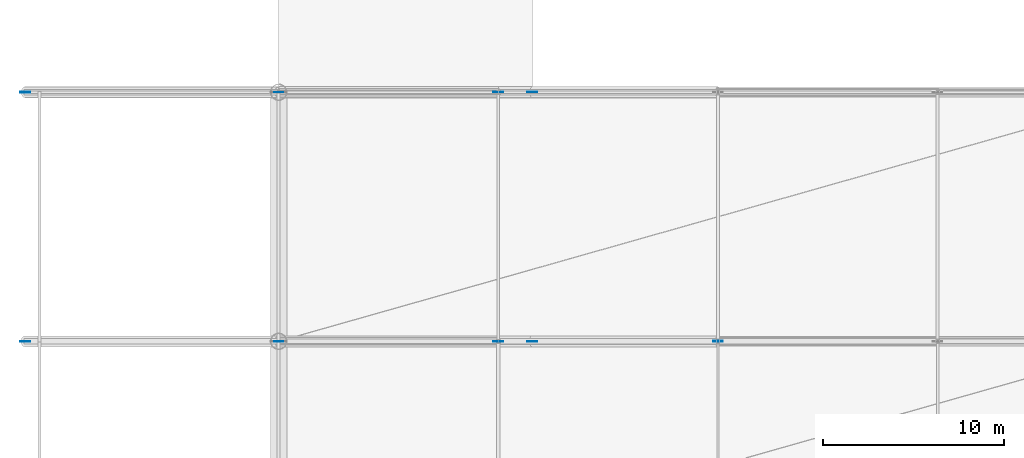
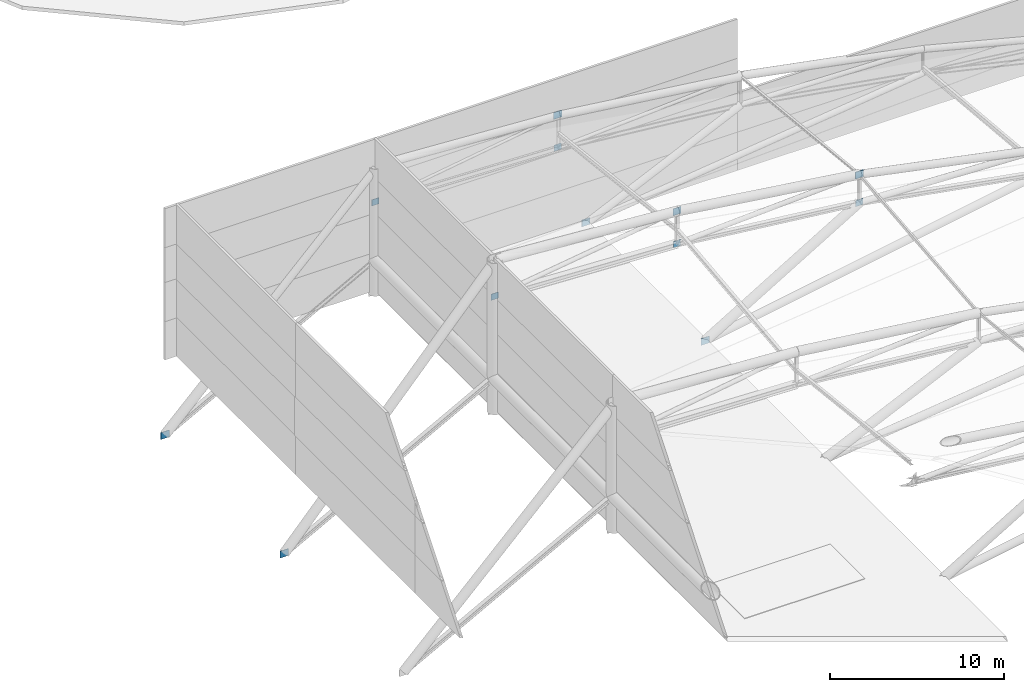
# One storey, part 35 of 36: 12 plates.
"""IFC4 building model written with IfcOpenShell, lengths in metres."""

from ifc_helpers import new_model, si_unit, direction, frame, origin, origin_2d, place, context, subcontext, project, spatial, rectangle, extrude, material, layer, layer_set, type_object, element, save


model = new_model("IFC4")

# Units and contexts
model_context = context("Model", 3, precision=1e-05, world=origin(), true_north=direction((0.0, 1.0)))
body_context = subcontext(model_context, "Body", "Model", "MODEL_VIEW")
ifc_project = project(units=[si_unit("LENGTHUNIT", "METRE"), si_unit("AREAUNIT", "SQUARE_METRE"), si_unit("VOLUMEUNIT", "CUBIC_METRE"), si_unit("PLANEANGLEUNIT", "RADIAN"), si_unit("MASSUNIT", "GRAM", prefix="KILO")], contexts=[model_context])

# Site, building, storey
site_placement = place(None, origin())
site = spatial("IfcSite", under=ifc_project, at=site_placement, CompositionType="ELEMENT")
building_placement = place(site_placement, origin())
building = spatial("IfcBuilding", under=site, at=building_placement, Name="Linyun Crest Stadium", CompositionType="ELEMENT")
storey_placement = place(building_placement, frame((0.0, 0.0, 31.60009765625)))
storey = spatial("IfcBuildingStorey", under=building, at=storey_placement, Name="RF", CompositionType="ELEMENT", Elevation=31.60009765625)

# Plates
ifc_material_1 = material(Name="Steel Q355C", Category="steel")
ifc_layer_1 = layer(ifc_material_1, 0.02392578125)
ifc_layer_set_1 = layer_set([ifc_layer_1], Name="Steel Q355C")
plate_type_1 = type_object("IfcPlateType", Name="NP01", PredefinedType="USERDEFINED", material=ifc_layer_set_1)
for number, where, z_axis, x_axis, name in (
    (1, (-84.0, 29.625, 7.579833984375), (0.0, 0.0, 1.0), (1.0, 0.0, 0.0), "Roof bottom-chord node gusset plate NP01 86"),
    (2, (-71.875, 29.625, 7.030029296875), (0.0, 0.0, 1.0), (1.0, 0.0, 0.0), "Roof bottom-chord node gusset plate NP01 87"),
    (3, (-59.75, 29.625, 5.679931640625), (0.0, 0.0, 1.0), (1.0, 0.0, 0.0), "Roof bottom-chord node gusset plate NP01 88"),
    (4, (-84.0, 43.375, 5.8798828125), (0.0, 0.0, 1.0), (1.0, 0.0, 0.0), "Roof bottom-chord node gusset plate NP01 99"),
    (5, (-71.875, 43.375, 5.47900390625), (0.0, 0.0, 1.0), (1.0, 0.0, 0.0), "Roof bottom-chord node gusset plate NP01 100"),
):
    element("IfcPlate", number, at=place(storey_placement, frame(where, z_axis=z_axis, x_axis=x_axis)), inside=storey, type_object=plate_type_1, Name=name, ObjectType="GUSSET PLATE", PredefinedType="USERDEFINED", context=body_context, shape_type="SweptSolid", body=[
        extrude(rectangle(XDim=0.47998046875, YDim=0.02392578125, at=origin_2d()), origin(), (0.0, 0.0, 1.0), 0.43994140625),
    ])
ifc_material_2 = material(Name="Steel Q420C", Category="steel")
ifc_layer_2 = layer(ifc_material_2, 0.028076171875)
ifc_layer_set_2 = layer_set([ifc_layer_2], Name="Steel Q420C")
plate_type_2 = type_object("IfcPlateType", Name="NP02", PredefinedType="USERDEFINED", material=ifc_layer_set_2)
for number, where, z_axis, x_axis, name in (
    (6, (-71.875, 29.625, 9.2978515625), (0.0, 0.0, 1.0), (1.0, 0.0, 0.0), "Roof truss node gusset plate NP02 81"),
    (7, (-70.0, 29.625, -0.47509765625), (0.0, 0.0, 1.0), (1.0, 0.0, 0.0), "Roof V-strut base gusset plate NP02 91"),
    (8, (-71.875, 43.375, 7.746826171875), (0.0, 0.0, 1.0), (1.0, 0.0, 0.0), "Roof truss node gusset plate NP02 94"),
    (9, (-70.0, 43.375, -0.47509765625), (0.0, 0.0, 1.0), (1.0, 0.0, 0.0), "Roof V-strut base gusset plate NP02 104"),
):
    element("IfcPlate", number, at=place(storey_placement, frame(where, z_axis=z_axis, x_axis=x_axis)), inside=storey, type_object=plate_type_2, Name=name, ObjectType="GUSSET PLATE", PredefinedType="USERDEFINED", context=body_context, shape_type="SweptSolid", body=[
        extrude(rectangle(XDim=0.5400390625, YDim=0.028076171875, at=origin_2d()), origin(), (0.0, 0.0, 1.0), 0.47998046875),
    ])
ifc_material_3 = material(Name="Steel Q420C", Category="steel")
ifc_layer_3 = layer(ifc_material_3, 0.031982421875)
ifc_layer_set_3 = layer_set([ifc_layer_3], Name="Steel Q420C")
plate_type_3 = type_object("IfcPlateType", Name="NP03", PredefinedType="USERDEFINED", material=ifc_layer_set_3)
for number, where, z_axis, x_axis, name in (
    (10, (-98.0, 29.625, -5.6201171875), (0.0, 0.0, 1.0), (1.0, 0.0, 0.0), "Roof back-stay anchor gusset plate NP03 85"),
    (11, (-98.0, 43.375, -5.6201171875), (0.0, 0.0, 1.0), (1.0, 0.0, 0.0), "Roof back-stay anchor gusset plate NP03 98"),
):
    element("IfcPlate", number, at=place(storey_placement, frame(where, z_axis=z_axis, x_axis=x_axis)), inside=storey, type_object=plate_type_3, Name=name, ObjectType="GUSSET PLATE", PredefinedType="USERDEFINED", context=body_context, shape_type="SweptSolid", body=[
        extrude(rectangle(XDim=0.56005859375, YDim=0.031982421875, at=origin_2d()), origin(), (0.0, 0.0, 1.0), 0.47998046875),
    ])
ifc_material_4 = material(Name="Steel Q420C", Category="steel")
ifc_layer_4 = layer(ifc_material_4, 0.035888671875)
ifc_layer_set_4 = layer_set([ifc_layer_4], Name="Steel Q420C")
plate_type_4 = type_object("IfcPlateType", Name="NP04", PredefinedType="USERDEFINED", material=ifc_layer_set_4)
plate_placement = place(storey_placement, frame((-59.75, 29.625, 7.635986328125), z_axis=(0.0, 0.0, 1.0), x_axis=(1.0, 0.0, 0.0)))
element("IfcPlate", 12, at=plate_placement, inside=storey, type_object=plate_type_4, Name="Roof truss node gusset plate NP04 82", ObjectType="GUSSET PLATE", PredefinedType="USERDEFINED", context=body_context, shape_type="SweptSolid", body=[
    extrude(rectangle(XDim=0.5400390625, YDim=0.035888671875, at=origin_2d()), origin(), (0.0, 0.0, 1.0), 0.47998046875),
])

save(model, "model.ifc")
